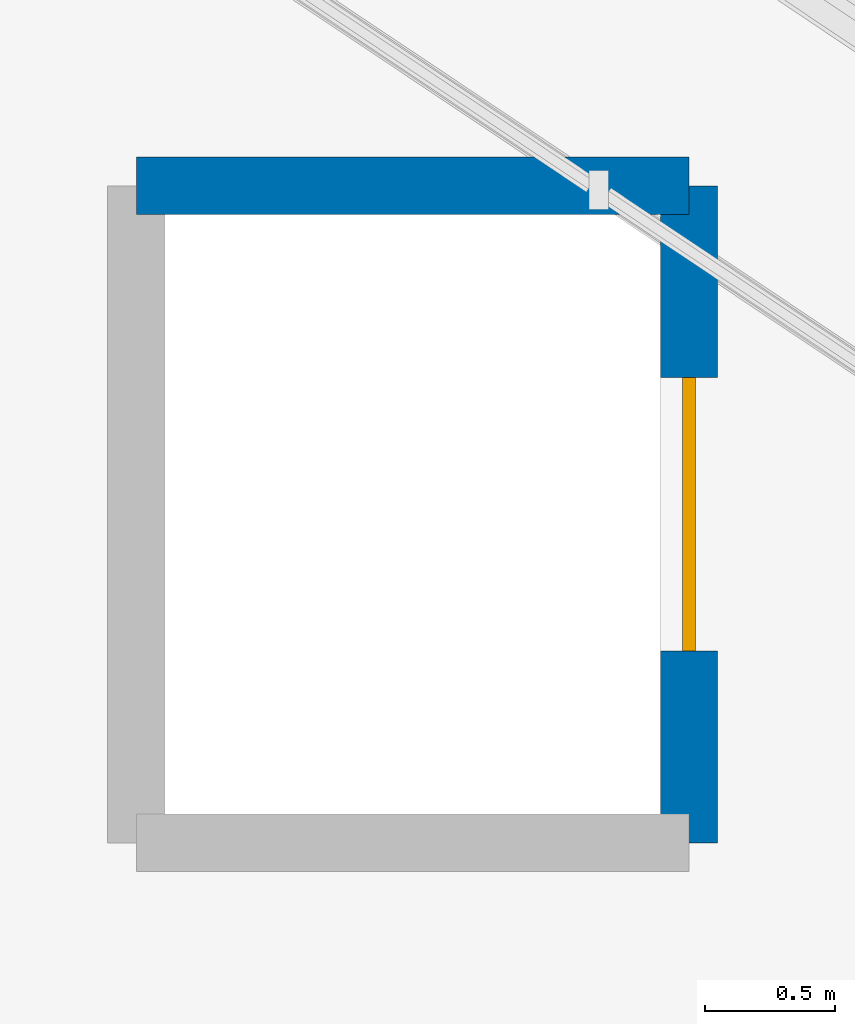
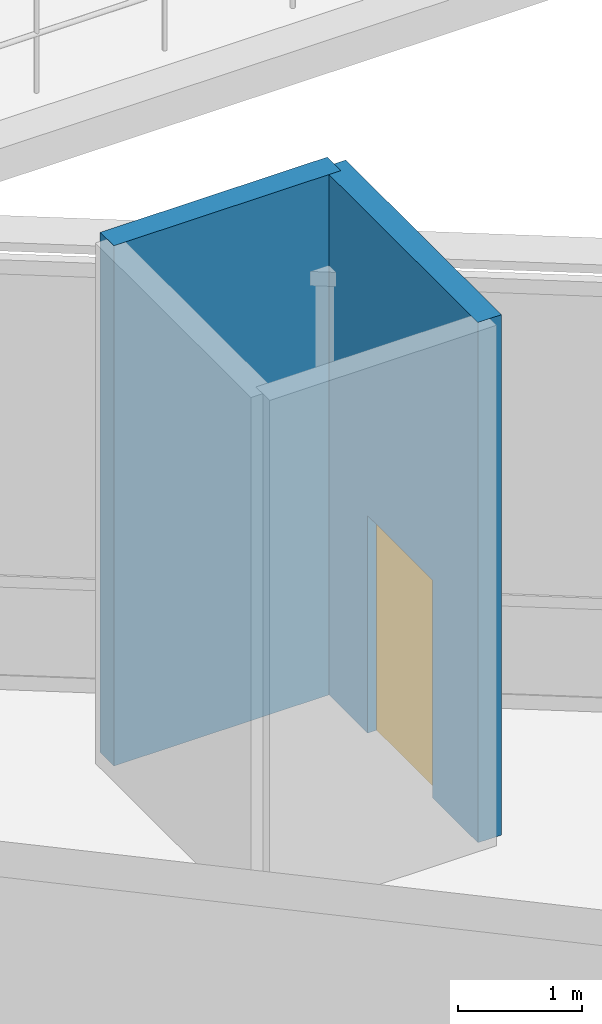
# One storey, part 81 of 111: 2 walls, 1 door, 1 opening.
"""IFC4 building model written with IfcOpenShell, lengths in metres."""

import ifcopenshell
import ifcopenshell.guid

model = None  # the IFC model being written
_history = None  # IfcOwnerHistory: only IFC2X3 demands one
_inside = {}  # id of a spatial element -> (the spatial element, [elements in it])
_under = {}  # id of a project, library or spatial element -> (it, [spatial elements below it])
_declared = {}  # id of a project -> (the project, [libraries it declares])
_typed = {}  # id of a type object -> (the type object, [elements of that type])
_made_of = {}  # id of a material, layer set ... -> (it, [elements and type objects made of it])


def new_model(schema):
    """Start an empty IFC model of exactly this schema.

    Asked for "IFC4X3", IfcOpenShell would pick the latest addendum, in which some entities
    have other attributes; the version numbers below select the first issue.
    IFC2X3 requires an IfcOwnerHistory on every rooted entity: one is made here for all.
    """
    global model, _history
    if schema == "IFC4X3":
        model = ifcopenshell.file(schema_version=(4, 3, 0, 0))
    else:
        model = ifcopenshell.file(schema=schema)
    _inside.clear()
    _under.clear()
    _declared.clear()
    _typed.clear()
    _made_of.clear()
    _history = None
    if model.schema == "IFC2X3":
        org = make("IfcOrganization", Name="unknown")
        user = make(
            "IfcPersonAndOrganization",
            ThePerson=make("IfcPerson", FamilyName="unknown"),
            TheOrganization=org,
        )
        app = make(
            "IfcApplication",
            ApplicationDeveloper=org,
            Version="unknown",
            ApplicationFullName="unknown",
            ApplicationIdentifier="unknown",
        )
        _history = make(
            "IfcOwnerHistory",
            OwningUser=user,
            OwningApplication=app,
            ChangeAction="ADDED",
            CreationDate=0,
        )
    return model


def make(cls, **values):
    """One entity of the class cls with the attributes given. An attribute that is None is left unset."""
    return model.create_entity(
        cls, **{name: value for name, value in values.items() if value is not None}
    )


def rooted(cls, **values):
    """An entity with a GlobalId (a new one), such as an element, a storey or a relation."""
    return make(cls, GlobalId=ifcopenshell.guid.new(), OwnerHistory=_history, **values)


def si_unit(unit_type, name, prefix=None):
    """IfcSIUnit, for example si_unit("LENGTHUNIT", "METRE", prefix="MILLI")."""
    return make("IfcSIUnit", UnitType=unit_type, Prefix=prefix, Name=name)


def assignment(units):
    """IfcUnitAssignment: the units of a project."""
    return None if units is None else make("IfcUnitAssignment", Units=units)


def point(xyz):
    """IfcCartesianPoint."""
    return None if xyz is None else make("IfcCartesianPoint", Coordinates=xyz)


def direction(xyz):
    """IfcDirection."""
    return None if xyz is None else make("IfcDirection", DirectionRatios=xyz)


def frame(location, z_axis=None, x_axis=None):
    """IfcAxis2Placement3D, a coordinate frame: its origin and axes. An axis left out is left unset."""
    return make(
        "IfcAxis2Placement3D",
        Location=point(location),
        Axis=direction(z_axis),
        RefDirection=direction(x_axis),
    )


def frame_2d(location, x_axis=None):
    """IfcAxis2Placement2D, a coordinate frame in the plane: its origin and x axis."""
    return make(
        "IfcAxis2Placement2D", Location=point(location), RefDirection=direction(x_axis)
    )


def origin():
    """The frame at (0, 0, 0) with its axes left unset."""
    return frame((0.0, 0.0, 0.0))


def place(relative_to, where):
    """IfcLocalPlacement: puts the frame where relative to a parent placement (None: the world)."""
    return make(
        "IfcLocalPlacement", PlacementRelTo=relative_to, RelativePlacement=where
    )


def context(
    kind, dimensions, precision=None, world=None, true_north=None, identifier=None
):
    """IfcGeometricRepresentationContext, for example the 3D "Model" context."""
    return make(
        "IfcGeometricRepresentationContext",
        ContextIdentifier=identifier,
        ContextType=kind,
        CoordinateSpaceDimension=dimensions,
        Precision=precision,
        WorldCoordinateSystem=world,
        TrueNorth=true_north,
    )


def subcontext(parent, identifier, kind, view, scale=None):
    """IfcGeometricRepresentationSubContext, for example "Body" below "Model"."""
    return make(
        "IfcGeometricRepresentationSubContext",
        ContextIdentifier=identifier,
        ContextType=kind,
        ParentContext=parent,
        TargetScale=scale,
        TargetView=view,
    )


def project(units=None, contexts=None):
    """IfcProject with its units and contexts."""
    return rooted(
        "IfcProject",
        Name="project",
        RepresentationContexts=contexts,
        UnitsInContext=assignment(units),
    )


def spatial(cls, under=None, at=None, **own):
    """A site, building, storey or space (cls), placed at a placement, below another one or the project."""
    s = rooted(cls, ObjectPlacement=at, **own)
    if under is not None:
        _under.setdefault(under.id(), (under, []))[1].append(s)
    return s


def profile(cls, at=None, kind="AREA", **sizes):
    """A parametric profile (cls). Its sizes go by their IFC names, for example OverallWidth=200.0."""
    return make(cls, ProfileType=kind, Position=at, **sizes)


def rectangle(**sizes):
    """IfcRectangleProfileDef."""
    return profile("IfcRectangleProfileDef", **sizes)


def extrude(swept, where, along, depth):
    """IfcExtrudedAreaSolid: the profile swept, set in the frame where, extruded along a direction by depth."""
    return make(
        "IfcExtrudedAreaSolid",
        SweptArea=swept,
        Position=where,
        ExtrudedDirection=direction(along),
        Depth=depth,
    )


def shape(context_of_items, identifier, shape_type, items):
    """IfcShapeRepresentation: the items that make up one representation, for example the "Body"."""
    return make(
        "IfcShapeRepresentation",
        ContextOfItems=context_of_items,
        RepresentationIdentifier=identifier,
        RepresentationType=shape_type,
        Items=items,
    )


def material(Name=None, Category=None):
    """IfcMaterial."""
    return make("IfcMaterial", Name=Name, Category=Category)


def layer(
    of_material, thickness, ventilated=None, Name=None, Category=None, Priority=None
):
    """IfcMaterialLayer: one layer of a wall or slab, of a material (None: an air gap)."""
    return make(
        "IfcMaterialLayer",
        Material=of_material,
        LayerThickness=thickness,
        IsVentilated=ventilated,
        Name=Name,
        Category=Category,
        Priority=Priority,
    )


def layer_set(layers, Name=None):
    """IfcMaterialLayerSet."""
    return make("IfcMaterialLayerSet", MaterialLayers=layers, LayerSetName=Name)


def made_of(thing, what):
    """Note that an element or type object is made of a material, layer set ...; save() writes the relation."""
    if what is not None:
        _made_of.setdefault(what.id(), (what, []))[1].append(thing)
    return thing


def type_object(cls, material=None, **own):
    """A type object (cls), such as IfcWallType, which elements share."""
    return made_of(rooted(cls, **own), material)


def element(
    cls,
    number,
    at=None,
    inside=None,
    cuts=None,
    type_object=None,
    material=None,
    context=None,
    identifier="Body",
    shape_type=None,
    held_by="IfcProductDefinitionShape",
    body=None,
    shapes=None,
    **own,
):
    """One element of the class cls, such as IfcWall. Its Tag is "e" and its number.

    at: its placement. inside: the storey or other place that contains it. cuts: it is an
    opening in that element (IfcRelVoidsElement). A single representation is given by context,
    identifier, shape_type and body (its items); several are given by shapes. held_by: the class
    of the entity that holds the representations. save() writes the other relations.
    """
    e = rooted(cls, Tag="e%d" % number, ObjectPlacement=at, **own)
    if body is not None:
        shapes = [shape(context, identifier, shape_type, body)]
    if shapes is not None:
        e.Representation = make(held_by, Representations=shapes)
    if inside is not None:
        _inside.setdefault(inside.id(), (inside, []))[1].append(e)
    if cuts is not None:
        rooted(
            "IfcRelVoidsElement", RelatingBuildingElement=cuts, RelatedOpeningElement=e
        )
    if type_object is not None:
        _typed.setdefault(type_object.id(), (type_object, []))[1].append(e)
    return made_of(e, material)


def fill(opening, filler):
    """IfcRelFillsElement: the door or window that sits in an opening."""
    return rooted(
        "IfcRelFillsElement",
        RelatingOpeningElement=opening,
        RelatedBuildingElement=filler,
    )


def aggregate(whole, parts):
    """IfcRelAggregates: a whole, such as a stair, and the parts it consists of."""
    return rooted("IfcRelAggregates", RelatingObject=whole, RelatedObjects=parts)


def save(model, path):
    """Write the relations noted so far, then the file.

    IfcRelAggregates (storeys below a building ...), IfcRelContainedInSpatialStructure (elements
    in a storey), IfcRelDefinesByType, IfcRelAssociatesMaterial and IfcRelDeclares: one each for
    every whole, place, type object, material and project.
    """
    for whole, parts in _under.values():
        aggregate(whole, parts)
    for where, things in _inside.values():
        rooted(
            "IfcRelContainedInSpatialStructure",
            RelatedElements=things,
            RelatingStructure=where,
        )
    for kind, things in _typed.values():
        rooted("IfcRelDefinesByType", RelatedObjects=things, RelatingType=kind)
    for what, things in _made_of.values():
        rooted("IfcRelAssociatesMaterial", RelatedObjects=things, RelatingMaterial=what)
    for by, libraries in _declared.values():
        rooted("IfcRelDeclares", RelatingContext=by, RelatedDefinitions=libraries)
    model.write(path)


model = new_model("IFC4")

# Units and contexts
model_context = context("Model", 3, precision=1e-05, world=origin(), true_north=direction((0.0, 1.0)))
body_context = subcontext(model_context, "Body", "Model", "MODEL_VIEW")
ifc_project = project(units=[si_unit("LENGTHUNIT", "METRE"), si_unit("AREAUNIT", "SQUARE_METRE"), si_unit("VOLUMEUNIT", "CUBIC_METRE"), si_unit("PLANEANGLEUNIT", "RADIAN"), si_unit("MASSUNIT", "GRAM", prefix="KILO")], contexts=[model_context])

# Site, building, storey
site_placement = place(None, origin())
site = spatial("IfcSite", under=ifc_project, at=site_placement, CompositionType="ELEMENT")
building_placement = place(site_placement, origin())
building = spatial("IfcBuilding", under=site, at=building_placement, Name="Candeia Ridge Stadium", CompositionType="ELEMENT")
storey_placement = place(building_placement, frame((0.0, 0.0, 16.199951171875)))
storey = spatial("IfcBuildingStorey", under=building, at=storey_placement, Name="L03", CompositionType="ELEMENT", Elevation=16.199951171875)

# Wall, opening, door
ifc_material_1 = material(Name="Concrete C40/50", Category="concrete")
ifc_layer = layer(ifc_material_1, 0.219970703125, Name="Concrete C40/50", Category="concrete")
ifc_layer_set = layer_set([ifc_layer], Name="Concrete C40/50")
wall_type = type_object("IfcWallType", Name="Lift & Riser Shaft Wall 220", PredefinedType="SHEAR", material=ifc_layer_set)
wall_1_placement = place(storey_placement, frame((165.56005859375, 136.239990234375, 0.0), z_axis=(0.0, 0.0, 1.0), x_axis=(0.0, 1.0, 0.0)))
wall_1 = element("IfcWall", 1, at=wall_1_placement, inside=storey, type_object=wall_type, Name="Lift EL2 shaft wall L03 east", PredefinedType="SHEAR", context=body_context, shape_type="SweptSolid", body=[
    extrude(rectangle(XDim=2.52001953125, YDim=0.219970703125, at=frame_2d((1.260009765625, 0.0))), origin(), (0.0, 0.0, 1.0), 5.14013671875),
])
opening_placement = place(wall_1_placement, frame((0.735107421875, 0.0, 0.0)))
opening = element("IfcOpeningElement", 2, at=opening_placement, cuts=wall_1, Name="Opening LD02", PredefinedType="OPENING", context=body_context, shape_type="SweptSolid", body=[
    extrude(rectangle(XDim=1.050048828125, YDim=2.14990234375, at=frame_2d((0.52490234375, 1.074951171875))), frame((0.0, 0.119873046875, 0.0), z_axis=(0.0, -1.0, 0.0), x_axis=(1.0, 0.0, 0.0)), (0.0, 0.0, 1.0), 0.239990234375),
])
ifc_material_2 = material(Name="Brushed Stainless Steel", Category="steel")
door_type = type_object("IfcDoorType", Name="Passenger Lift Landing Door 1050x2150", OperationType="NOTDEFINED", PredefinedType="DOOR", material=ifc_material_2)
door_placement = place(opening_placement, origin())
door = element("IfcDoor", 3, at=door_placement, inside=storey, type_object=door_type, Name="Lift landing sliding door LD-EL2-L03", OperationType="DOUBLE_DOOR_SLIDING", OverallHeight=2.14990234375, OverallWidth=1.050048828125, PredefinedType="DOOR", context=body_context, shape_type="SweptSolid", body=[
    extrude(rectangle(XDim=1.050048828125, YDim=2.14990234375, at=frame_2d((0.52490234375, 1.074951171875))), frame((0.0, 0.02490234375, 0.0), z_axis=(0.0, -1.0, 0.0), x_axis=(1.0, 0.0, 0.0)), (0.0, 0.0, 1.0), 0.050048828125),
])
fill(opening, door)

# Wall
wall_2_placement = place(storey_placement, frame((165.56005859375, 138.760009765625, 0.0), z_axis=(0.0, 0.0, 1.0), x_axis=(-1.0, 0.0, 0.0)))
element("IfcWall", 4, at=wall_2_placement, inside=storey, type_object=wall_type, Name="Lift EL2 shaft wall L03 north", PredefinedType="SHEAR", context=body_context, shape_type="SweptSolid", body=[
    extrude(rectangle(XDim=2.1201171875, YDim=0.219970703125, at=frame_2d((1.06005859375, 0.0))), origin(), (0.0, 0.0, 1.0), 5.14013671875),
])

save(model, "model.ifc")
